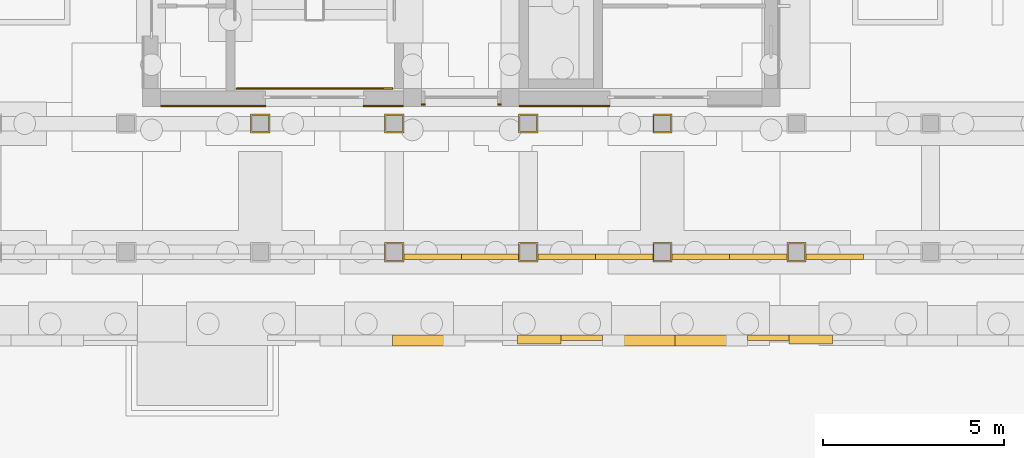
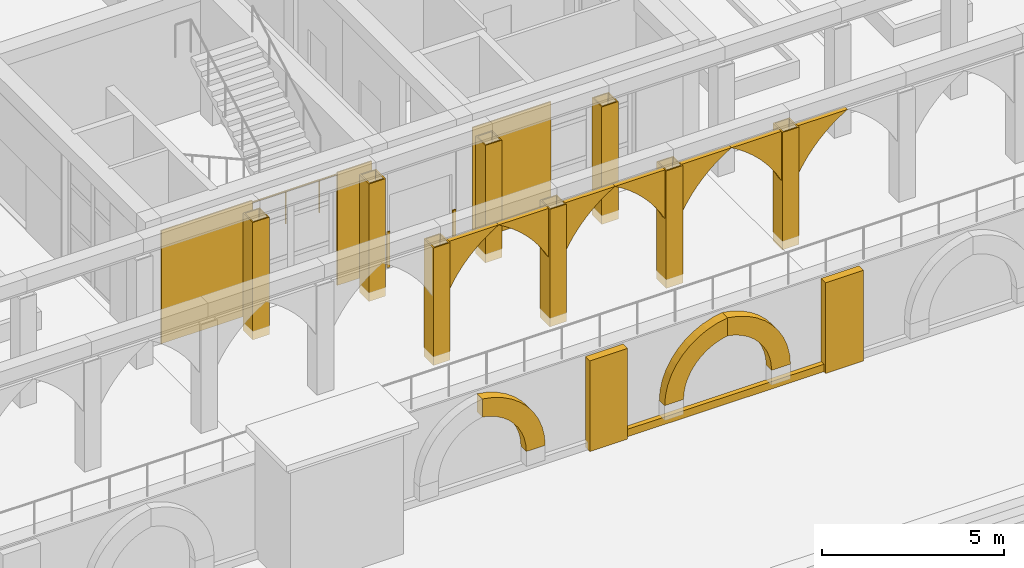
# One storey, part 99 of 161: 26 coverings, 1 railing.
"""IFC4 building model written with IfcOpenShell, lengths in metres."""

from ifc_helpers import new_model, si_unit, direction, frame, origin, origin_2d, place, context, subcontext, project, spatial, polyline, rectangle, circle, outline, extrude, material, layer, layer_set, type_object, element, save


model = new_model("IFC4")

# Units and contexts
model_context = context("Model", 3, precision=1e-05, world=origin(), true_north=direction((0.0, 1.0)))
body_context = subcontext(model_context, "Body", "Model", "MODEL_VIEW")
ifc_project = project(units=[si_unit("LENGTHUNIT", "METRE"), si_unit("AREAUNIT", "SQUARE_METRE"), si_unit("VOLUMEUNIT", "CUBIC_METRE"), si_unit("PLANEANGLEUNIT", "RADIAN"), si_unit("MASSUNIT", "GRAM", prefix="KILO")], contexts=[model_context])

# Site, building, storey
site_placement = place(None, origin())
site = spatial("IfcSite", under=ifc_project, at=site_placement, CompositionType="ELEMENT")
building_placement = place(site_placement, origin())
building = spatial("IfcBuilding", under=site, at=building_placement, Name="Elbe Cascade School", CompositionType="ELEMENT")
storey_placement = place(building_placement, origin())
storey = spatial("IfcBuildingStorey", under=building, at=storey_placement, Name="L00", CompositionType="ELEMENT", Elevation=0.0)

# Railing
ifc_material_1 = material(Name="Steel S355J2H, painted", Category="steel")
railing_type = type_object("IfcRailingType", Name="Bar stair guard 1100", PredefinedType="GUARDRAIL", material=ifc_material_1)
railing_placement = place(storey_placement, frame((100.9599609375, 6.239990234375, 2.25)))
element("IfcRailing", 1, at=railing_placement, inside=storey, type_object=railing_type, Name="Stair guard B0.S", PredefinedType="GUARDRAIL", context=body_context, shape_type="SweptSolid", body=[
    extrude(circle(Radius=0.02392578125, at=origin_2d()), frame((0.0, 0.0, 1.09619140625), z_axis=(1.0, 0.0, 0.0), x_axis=(0.0, 1.0, 0.0)), (0.0, 0.0, 1.0), 4.280029296875),
    extrude(circle(Radius=0.02099609375, at=origin_2d()), origin(), (0.0, 0.0, 1.0), 1.072021484375),
    extrude(circle(Radius=0.02099609375, at=origin_2d()), frame((1.070068359375, 0.0, 0.0)), (0.0, 0.0, 1.0), 1.072021484375),
    extrude(circle(Radius=0.02099609375, at=origin_2d()), frame((2.14013671875, 0.0, 0.0)), (0.0, 0.0, 1.0), 1.072021484375),
    extrude(circle(Radius=0.02099609375, at=origin_2d()), frame((3.2099609375, 0.0, 0.0)), (0.0, 0.0, 1.0), 1.072021484375),
    extrude(circle(Radius=0.02099609375, at=origin_2d()), frame((4.280029296875, 0.0, 0.0)), (0.0, 0.0, 1.0), 1.072021484375),
])

# Coverings
ifc_material_2 = material(Name="Sandstone - red", Category="masonry")
ifc_layer_1 = layer(ifc_material_2, 0.0400390625)
ifc_layer_set_1 = layer_set([ifc_layer_1], Name="Sandstone - red")
covering_type_1 = type_object("IfcCoveringType", Name="Bars envelope Sandstone cladding, red, 40 mm", PredefinedType="CLADDING", material=ifc_layer_set_1)
covering_1_placement = place(storey_placement, frame((100.300048828125, 5.760009765625, 0.0), z_axis=(0.0, 0.0, 1.0), x_axis=(1.0, 0.0, 0.0)))
element("IfcCovering", 2, at=covering_1_placement, inside=storey, type_object=covering_type_1, Name="Sandstone cladding CV48 B.L00.s.1a.1", PredefinedType="CLADDING", context=body_context, shape_type="SweptSolid", body=[
    extrude(rectangle(XDim=2.89990234375, YDim=0.0400390625, at=origin_2d()), origin(), (0.0, 0.0, 1.0), 3.800048828125),
])
covering_2_placement = place(storey_placement, frame((105.0, 5.760009765625, 0.0), z_axis=(0.0, 0.0, 1.0), x_axis=(1.0, 0.0, 0.0)))
element("IfcCovering", 3, at=covering_2_placement, inside=storey, type_object=covering_type_1, Name="Sandstone cladding CV48 B.L00.s.1b.1", PredefinedType="CLADDING", context=body_context, shape_type="SweptSolid", body=[
    extrude(rectangle(XDim=1.10009765625, YDim=0.0400390625, at=origin_2d()), origin(), (0.0, 0.0, 1.0), 3.800048828125),
])
for number, where, z_axis, x_axis, name in (
    (4, (106.10009765625, 5.800048828125, 0.0), (0.0, 0.0, 1.0), (1.0, 0.0, 0.0), "Sandstone cladding CV48 B.L00.s.2.1"),
    (5, (108.199951171875, 5.800048828125, 0.0), (0.0, 0.0, 1.0), (1.0, 0.0, 0.0), "Sandstone cladding CV48 B.L00.s.2.2"),
):
    element("IfcCovering", number, at=place(storey_placement, frame(where, z_axis=z_axis, x_axis=x_axis)), inside=storey, type_object=covering_type_1, Name=name, PredefinedType="CLADDING", context=body_context, shape_type="SweptSolid", body=[
        extrude(rectangle(XDim=0.10009765625, YDim=0.0400390625, at=origin_2d()), origin(), (0.0, 0.0, 1.0), 1.199951171875),
    ])
covering_3_placement = place(storey_placement, frame((110.0, 5.760009765625, 0.0), z_axis=(0.0, 0.0, 1.0), x_axis=(1.0, 0.0, 0.0)))
element("IfcCovering", 6, at=covering_3_placement, inside=storey, type_object=covering_type_1, Name="Sandstone cladding CV48 B.L00.s.3a.1", PredefinedType="CLADDING", context=body_context, shape_type="SweptSolid", body=[
    extrude(rectangle(XDim=2.5, YDim=0.0400390625, at=origin_2d()), origin(), (0.0, 0.0, 1.0), 3.800048828125),
])
ifc_material_3 = material(Name="Sandstone - red", Category="masonry")
ifc_layer_2 = layer(ifc_material_3, 0.14990234375)
ifc_layer_set_2 = layer_set([ifc_layer_2], Name="Sandstone - red")
covering_type_2 = type_object("IfcCoveringType", Name="Plinth base course 150x250", PredefinedType="CLADDING", material=ifc_layer_set_2)
covering_4_placement = place(storey_placement, frame((0.0, 0.0, -3.10009765625)))
element("IfcCovering", 7, at=covering_4_placement, inside=storey, type_object=covering_type_2, Name="Plinth base course south 0.5.2", PredefinedType="CLADDING", context=body_context, shape_type="SweptSolid", body=[
    extrude(outline(polyline([(109.89990234375, -0.7099609375), (116.199951171875, -0.7099609375), (116.199951171875, -0.56005859375), (109.89990234375, -0.56005859375), (109.89990234375, -0.7099609375)])), origin(), (0.0, 0.0, 1.0), 0.25),
])
ifc_material_4 = material(Name="Sandstone - red", Category="masonry")
ifc_layer_3 = layer(ifc_material_4, 0.300048828125)
ifc_layer_set_3 = layer_set([ifc_layer_3], Name="Sandstone - red")
covering_type_3 = type_object("IfcCoveringType", Name="Plinth niche arch band 600x300", PredefinedType="CLADDING", material=ifc_layer_set_3)
covering_5_placement = place(storey_placement, frame((107.22607421875, -0.860107421875, -2.021484375), z_axis=(0.0, -1.0, 0.0), x_axis=(-0.215752753128, 0.0, 0.976448027044)))
element("IfcCovering", 8, at=covering_5_placement, inside=storey, type_object=covering_type_3, Name="Plinth niche arch band south 0.5.1b", PredefinedType="CLADDING", context=body_context, shape_type="SweptSolid", body=[
    extrude(outline(polyline([(0.0, 0.0), (0.32928859931076776, 0.0), (0.6551300375067007, 0.04776718341293948), (0.9706940700222042, 0.14181038697143714), (1.2694415169352804, 0.2808241640277199), (1.544888587491183, 0.4614905948572066), (1.7911613148059853, 0.6798569564361285), (2.003577685153772, 0.9317071556807464), (2.1771923147486576, 1.211633146349308), (2.308437489582378, 1.513672447496494), (1.7167519419450257, 1.644409345266023), (1.614235281859136, 1.4327836281292001), (1.482887474156685, 1.237779548447321), (1.325749492725996, 1.0629756808496802), (1.1453855301921871, 0.9120559479895607), (0.9456847749460033, 0.7879114471850753), (0.730616783973809, 0.6926654298475355), (0.5042564622859574, 0.6289179286514578), (0.2712635593352524, 0.5973895458021641), (0.03605943394289521, 0.5988535575169711), (-0.19656312183069619, 0.633501110726002), (-0.32603584331236496, 0.04753693824710932), (0.0, 0.0)])), origin(), (0.0, 0.0, -1.0), 0.300048828125),
])
covering_6_placement = place(storey_placement, frame((111.050048828125, -0.860107421875, -2.35009765625), z_axis=(0.0, -1.0, 0.0), x_axis=(1.0, 0.0, 0.0)))
element("IfcCovering", 9, at=covering_6_placement, inside=storey, type_object=covering_type_3, Name="Plinth niche arch band south 0.5.2a", PredefinedType="CLADDING", context=body_context, shape_type="SweptSolid", body=[
    extrude(outline(polyline([(0.0, 0.0), (0.599853515625, 0.0), (0.616455078125, 0.234619140625), (0.665771484375, 0.464599609375), (0.746826171875, 0.685302734375), (0.85791015625, 0.892578125), (0.9970703125, 1.08203125), (1.161376953125, 1.250244140625), (1.34765625, 1.393798828125), (1.55224609375, 1.509521484375), (1.771240234375, 1.595703125), (2.0, 1.650146484375), (2.0, 2.256103515625), (1.6767578125, 2.193115234375), (1.365966796875, 2.083984375), (1.07421875, 1.930908203125), (0.807861328125, 1.737548828125), (0.572021484375, 1.507568359375), (0.371826171875, 1.245849609375), (0.211669921875, 0.9580078125), (0.094970703125, 0.650146484375), (0.02392578125, 0.32861328125), (0.0, 0.0)])), origin(), (0.0, 0.0, -1.0), 0.300048828125),
])
covering_7_placement = place(storey_placement, frame((115.026123046875, -0.860107421875, -2.021484375), z_axis=(0.0, -1.0, 0.0), x_axis=(-0.215752753128, 0.0, 0.976448027044)))
element("IfcCovering", 10, at=covering_7_placement, inside=storey, type_object=covering_type_3, Name="Plinth niche arch band south 0.5.2b", PredefinedType="CLADDING", context=body_context, shape_type="SweptSolid", body=[
    extrude(outline(polyline([(0.0, 0.0), (0.32928859931076776, 0.0), (0.6551300375067007, 0.04776718341293948), (0.9707467440341984, 0.1420487776030396), (1.2694415169352804, 0.2808241640277199), (1.544888587491183, 0.4614905948572066), (1.7912139888179794, 0.6800953470677311), (2.003577685153772, 0.9317071556807464), (2.1771923147486576, 1.211633146349308), (2.308437489582378, 1.513672447496494), (1.7167519419450257, 1.644409345266023), (1.614235281859136, 1.4327836281292001), (1.482887474156685, 1.237779548447321), (1.325749492725996, 1.0629756808496802), (1.1453855301921871, 0.9120559479895607), (0.9456847749460033, 0.7879114471850753), (0.7306694579858032, 0.692903820479138), (0.5042564622859574, 0.6289179286514578), (0.2712635593352524, 0.5973895458021641), (0.03605943394289521, 0.5988535575169711), (-0.19656312183069619, 0.633501110726002), (-0.32603584331236496, 0.04753693824710932), (0.0, 0.0)])), origin(), (0.0, 0.0, -1.0), 0.300048828125),
])
ifc_material_5 = material(Name="Sandstone - red", Category="masonry")
ifc_layer_4 = layer(ifc_material_5, 0.25)
ifc_layer_set_4 = layer_set([ifc_layer_4], Name="Sandstone - red")
covering_type_4 = type_object("IfcCoveringType", Name="Plinth pilaster 1200x250", PredefinedType="CLADDING", material=ifc_layer_set_4)
covering_8_placement = place(storey_placement, frame((0.0, 0.0, -3.10009765625)))
element("IfcCovering", 11, at=covering_8_placement, inside=storey, type_object=covering_type_4, Name="Plinth pilaster south 0.5.1", PredefinedType="CLADDING", context=body_context, shape_type="SweptSolid", body=[
    extrude(outline(polyline([(108.699951171875, -0.81005859375), (109.89990234375, -0.81005859375), (109.89990234375, -0.56005859375), (108.699951171875, -0.56005859375), (108.699951171875, -0.81005859375)])), origin(), (0.0, 0.0, 1.0), 3.050048828125),
])
covering_9_placement = place(storey_placement, frame((0.0, 0.0, -3.10009765625)))
element("IfcCovering", 12, at=covering_9_placement, inside=storey, type_object=covering_type_4, Name="Plinth pilaster south 0.5.2", PredefinedType="CLADDING", context=body_context, shape_type="SweptSolid", body=[
    extrude(outline(polyline([(116.199951171875, -0.81005859375), (117.39990234375, -0.81005859375), (117.39990234375, -0.56005859375), (116.199951171875, -0.56005859375), (116.199951171875, -0.81005859375)])), origin(), (0.0, 0.0, 1.0), 3.050048828125),
])
ifc_material_6 = material(Name="Sandstone - red", Category="masonry")
ifc_layer_5 = layer(ifc_material_6, 0.14990234375)
ifc_layer_set_5 = layer_set([ifc_layer_5], Name="Sandstone - red")
covering_type_5 = type_object("IfcCoveringType", Name="Sandstone arch spandrel 3170x150", PredefinedType="CLADDING", material=ifc_layer_set_5)
covering_10_placement = place(storey_placement, frame((105.56494140625, 1.52490234375, 3.64990234375), z_axis=(0.0, -1.0, 0.0), x_axis=(0.0, 0.0, -1.0)))
element("IfcCovering", 13, at=covering_10_placement, inside=storey, type_object=covering_type_5, Name="Colonnade arch spandrel 27l", PredefinedType="CLADDING", context=body_context, shape_type="SweptSolid", body=[
    extrude(outline(polyline([(0.0, 0.0), (1.64990234375, 0.0), (1.39697265625, 0.141845703125), (1.155029296875, 0.3017578125), (0.92529296875, 0.478759765625), (0.709228515625, 0.672119140625), (0.507568359375, 0.88037109375), (0.3212890625, 1.102783203125), (0.15185546875, 1.338134765625), (0.0, 1.5849609375), (0.0, 0.0)])), origin(), (0.0, 0.0, -1.0), 0.14990234375),
])
covering_11_placement = place(storey_placement, frame((107.14990234375, 1.52490234375, 3.64990234375), z_axis=(0.0, -1.0, 0.0), x_axis=(0.851947232707, 0.0, -0.52362764698)))
element("IfcCovering", 14, at=covering_11_placement, inside=storey, type_object=covering_type_5, Name="Colonnade arch spandrel 27r", PredefinedType="CLADDING", context=body_context, shape_type="SweptSolid", body=[
    extrude(outline(polyline([(0.0, 0.0), (0.2900065908011918, 0.0), (0.5792338172011682, -0.021111896437985944), (0.866258188207625, -0.06335089842938235), (1.1492726964852549, -0.12610823030003315), (1.4269340071906127, -0.20906326745450166), (1.6980266242612543, -0.3121033802272114), (1.960951535291733, -0.4344919541630051), (2.2144455615874628, -0.5755725309555851), (1.3505110795824065, 0.8300572050397795), (0.0, 0.0)])), origin(), (0.0, 0.0, -1.0), 0.14990234375),
])
covering_12_placement = place(storey_placement, frame((109.264892578125, 1.52490234375, 3.64990234375), z_axis=(0.0, -1.0, 0.0), x_axis=(0.0, 0.0, -1.0)))
element("IfcCovering", 15, at=covering_12_placement, inside=storey, type_object=covering_type_5, Name="Colonnade arch spandrel 28l", PredefinedType="CLADDING", context=body_context, shape_type="SweptSolid", body=[
    extrude(outline(polyline([(0.0, 0.0), (1.64990234375, 0.0), (1.39697265625, 0.14208984375), (1.155029296875, 0.302001953125), (0.92529296875, 0.47900390625), (0.709228515625, 0.672119140625), (0.507568359375, 0.88037109375), (0.3212890625, 1.102783203125), (0.15185546875, 1.338134765625), (0.0, 1.585205078125), (0.0, 0.0)])), origin(), (0.0, 0.0, -1.0), 0.14990234375),
])
covering_13_placement = place(storey_placement, frame((110.85009765625, 1.52490234375, 3.64990234375), z_axis=(0.0, -1.0, 0.0), x_axis=(0.851716162106, 0.0, -0.524003415262)))
element("IfcCovering", 16, at=covering_13_placement, inside=storey, type_object=covering_type_5, Name="Colonnade arch spandrel 28r", PredefinedType="CLADDING", context=body_context, shape_type="SweptSolid", body=[
    extrude(outline(polyline([(0.0, 0.0), (0.28979862406807466, 0.0), (0.5790351354115117, -0.02098430766332937), (0.8660781113695626, -0.06309669056939587), (1.1491202762337052, -0.12572917022788543), (1.4270260923703046, -0.20843378413815372), (1.6981641371186122, -0.3113542998796086), (1.9611430118023847, -0.4336268779193272), (2.214491309750543, -0.5747235477618304), (1.3499368467761932, 0.8305249443074108), (0.0, 0.0)])), origin(), (0.0, 0.0, -1.0), 0.14990234375),
])
covering_14_placement = place(storey_placement, frame((112.965087890625, 1.52490234375, 3.64990234375), z_axis=(0.0, -1.0, 0.0), x_axis=(0.0, 0.0, -1.0)))
element("IfcCovering", 17, at=covering_14_placement, inside=storey, type_object=covering_type_5, Name="Colonnade arch spandrel 29l", PredefinedType="CLADDING", context=body_context, shape_type="SweptSolid", body=[
    extrude(outline(polyline([(0.0, 0.0), (1.64990234375, 0.0), (1.39697265625, 0.141845703125), (1.155029296875, 0.3017578125), (0.92529296875, 0.478759765625), (0.709228515625, 0.671875), (0.507568359375, 0.880126953125), (0.3212890625, 1.1025390625), (0.15185546875, 1.337890625), (0.0, 1.5849609375), (0.0, 0.0)])), origin(), (0.0, 0.0, -1.0), 0.14990234375),
])
covering_15_placement = place(storey_placement, frame((114.550048828125, 1.52490234375, 3.64990234375), z_axis=(0.0, -1.0, 0.0), x_axis=(0.851947232707, 0.0, -0.52362764698)))
element("IfcCovering", 18, at=covering_15_placement, inside=storey, type_object=covering_type_5, Name="Colonnade arch spandrel 29r", PredefinedType="CLADDING", context=body_context, shape_type="SweptSolid", body=[
    extrude(outline(polyline([(0.0, 0.0), (0.2900065908011918, 0.0), (0.5790258222713079, -0.021239735218986977), (0.8660501932777647, -0.06347873721038338), (1.1490647015553945, -0.12623606908103424), (1.4269340071906127, -0.20906326745450166), (1.6980266242612543, -0.3121033802272114), (1.960951535291733, -0.4344919541630051), (2.2142375666576024, -0.5757003697365862), (1.3503030846525463, 0.8299293662587784), (0.0, 0.0)])), origin(), (0.0, 0.0, -1.0), 0.14990234375),
])
covering_16_placement = place(storey_placement, frame((116.6650390625, 1.52490234375, 3.64990234375), z_axis=(0.0, -1.0, 0.0), x_axis=(0.0, 0.0, -1.0)))
element("IfcCovering", 19, at=covering_16_placement, inside=storey, type_object=covering_type_5, Name="Colonnade arch spandrel 30l", PredefinedType="CLADDING", context=body_context, shape_type="SweptSolid", body=[
    extrude(outline(polyline([(0.0, 0.0), (1.64990234375, 0.0), (1.39697265625, 0.141845703125), (1.155029296875, 0.3017578125), (0.92529296875, 0.478759765625), (0.709228515625, 0.671875), (0.507568359375, 0.88037109375), (0.3212890625, 1.1025390625), (0.15185546875, 1.337890625), (0.0, 1.5849609375), (0.0, 0.0)])), origin(), (0.0, 0.0, -1.0), 0.14990234375),
])
ifc_material_7 = material(Name="Sandstone - red", Category="masonry")
ifc_layer_6 = layer(ifc_material_7, 0.0400390625)
ifc_layer_set_6 = layer_set([ifc_layer_6], Name="Sandstone - red")
covering_type_6 = type_object("IfcCoveringType", Name="Sandstone column cladding 40", PredefinedType="CLADDING", material=ifc_layer_set_6)
covering_17_placement = place(storey_placement, frame((0.0, 0.0, -0.300048828125)))
element("IfcCovering", 20, at=covering_17_placement, inside=storey, type_object=covering_type_6, Name="Colonnade column sandstone cladding F27", PredefinedType="CLADDING", context=body_context, shape_type="SweptSolid", body=[
    extrude(outline(polyline([(105.034912109375, 1.4599609375), (105.56494140625, 1.4599609375), (105.56494140625, 1.989990234375), (105.034912109375, 1.989990234375), (105.034912109375, 1.4599609375)]), holes=[polyline([(105.074951171875, 1.949951171875), (105.52490234375, 1.949951171875), (105.52490234375, 1.5), (105.074951171875, 1.5), (105.074951171875, 1.949951171875)])]), origin(), (0.0, 0.0, 1.0), 3.949951171875),
])
covering_18_placement = place(storey_placement, frame((0.0, 0.0, -0.300048828125)))
element("IfcCovering", 21, at=covering_18_placement, inside=storey, type_object=covering_type_6, Name="Colonnade column sandstone cladding F28", PredefinedType="CLADDING", context=body_context, shape_type="SweptSolid", body=[
    extrude(outline(polyline([(108.735107421875, 1.4599609375), (109.264892578125, 1.4599609375), (109.264892578125, 1.989990234375), (108.735107421875, 1.989990234375), (108.735107421875, 1.4599609375)]), holes=[polyline([(108.77490234375, 1.949951171875), (109.22509765625, 1.949951171875), (109.22509765625, 1.5), (108.77490234375, 1.5), (108.77490234375, 1.949951171875)])]), origin(), (0.0, 0.0, 1.0), 3.949951171875),
])
covering_19_placement = place(storey_placement, frame((0.0, 0.0, -0.300048828125)))
element("IfcCovering", 22, at=covering_19_placement, inside=storey, type_object=covering_type_6, Name="Colonnade column sandstone cladding F29", PredefinedType="CLADDING", context=body_context, shape_type="SweptSolid", body=[
    extrude(outline(polyline([(112.43505859375, 1.4599609375), (112.965087890625, 1.4599609375), (112.965087890625, 1.989990234375), (112.43505859375, 1.989990234375), (112.43505859375, 1.4599609375)]), holes=[polyline([(112.47509765625, 1.949951171875), (112.925048828125, 1.949951171875), (112.925048828125, 1.5), (112.47509765625, 1.5), (112.47509765625, 1.949951171875)])]), origin(), (0.0, 0.0, 1.0), 3.949951171875),
])
covering_20_placement = place(storey_placement, frame((0.0, 0.0, -0.300048828125)))
element("IfcCovering", 23, at=covering_20_placement, inside=storey, type_object=covering_type_6, Name="Colonnade column sandstone cladding F30", PredefinedType="CLADDING", context=body_context, shape_type="SweptSolid", body=[
    extrude(outline(polyline([(116.135009765625, 1.4599609375), (116.6650390625, 1.4599609375), (116.6650390625, 1.989990234375), (116.135009765625, 1.989990234375), (116.135009765625, 1.4599609375)]), holes=[polyline([(116.175048828125, 1.949951171875), (116.625, 1.949951171875), (116.625, 1.5), (116.175048828125, 1.5), (116.175048828125, 1.949951171875)])]), origin(), (0.0, 0.0, 1.0), 3.949951171875),
])
covering_21_placement = place(storey_placement, frame((0.0, 0.0, -0.300048828125)))
element("IfcCovering", 24, at=covering_21_placement, inside=storey, type_object=covering_type_6, Name="Colonnade column sandstone cladding R26", PredefinedType="CLADDING", context=body_context, shape_type="SweptSolid", body=[
    extrude(outline(polyline([(101.3349609375, 5.010009765625), (101.864990234375, 5.010009765625), (101.864990234375, 5.5400390625), (101.3349609375, 5.5400390625), (101.3349609375, 5.010009765625)]), holes=[polyline([(101.375, 5.5), (101.824951171875, 5.5), (101.824951171875, 5.050048828125), (101.375, 5.050048828125), (101.375, 5.5)])]), origin(), (0.0, 0.0, 1.0), 3.949951171875),
])
covering_22_placement = place(storey_placement, frame((0.0, 0.0, -0.300048828125)))
element("IfcCovering", 25, at=covering_22_placement, inside=storey, type_object=covering_type_6, Name="Colonnade column sandstone cladding R27", PredefinedType="CLADDING", context=body_context, shape_type="SweptSolid", body=[
    extrude(outline(polyline([(105.034912109375, 5.010009765625), (105.56494140625, 5.010009765625), (105.56494140625, 5.5400390625), (105.034912109375, 5.5400390625), (105.034912109375, 5.010009765625)]), holes=[polyline([(105.074951171875, 5.5), (105.52490234375, 5.5), (105.52490234375, 5.050048828125), (105.074951171875, 5.050048828125), (105.074951171875, 5.5)])]), origin(), (0.0, 0.0, 1.0), 3.949951171875),
])
covering_23_placement = place(storey_placement, frame((0.0, 0.0, -0.300048828125)))
element("IfcCovering", 26, at=covering_23_placement, inside=storey, type_object=covering_type_6, Name="Colonnade column sandstone cladding R28", PredefinedType="CLADDING", context=body_context, shape_type="SweptSolid", body=[
    extrude(outline(polyline([(108.735107421875, 5.010009765625), (109.264892578125, 5.010009765625), (109.264892578125, 5.5400390625), (108.735107421875, 5.5400390625), (108.735107421875, 5.010009765625)]), holes=[polyline([(108.77490234375, 5.5), (109.22509765625, 5.5), (109.22509765625, 5.050048828125), (108.77490234375, 5.050048828125), (108.77490234375, 5.5)])]), origin(), (0.0, 0.0, 1.0), 3.949951171875),
])
covering_24_placement = place(storey_placement, frame((0.0, 0.0, -0.300048828125)))
element("IfcCovering", 27, at=covering_24_placement, inside=storey, type_object=covering_type_6, Name="Colonnade column sandstone cladding R29", PredefinedType="CLADDING", context=body_context, shape_type="SweptSolid", body=[
    extrude(outline(polyline([(112.43505859375, 5.010009765625), (112.965087890625, 5.010009765625), (112.965087890625, 5.5400390625), (112.43505859375, 5.5400390625), (112.43505859375, 5.010009765625)]), holes=[polyline([(112.47509765625, 5.5), (112.925048828125, 5.5), (112.925048828125, 5.050048828125), (112.47509765625, 5.050048828125), (112.47509765625, 5.5)])]), origin(), (0.0, 0.0, 1.0), 3.949951171875),
])

save(model, "model.ifc")
